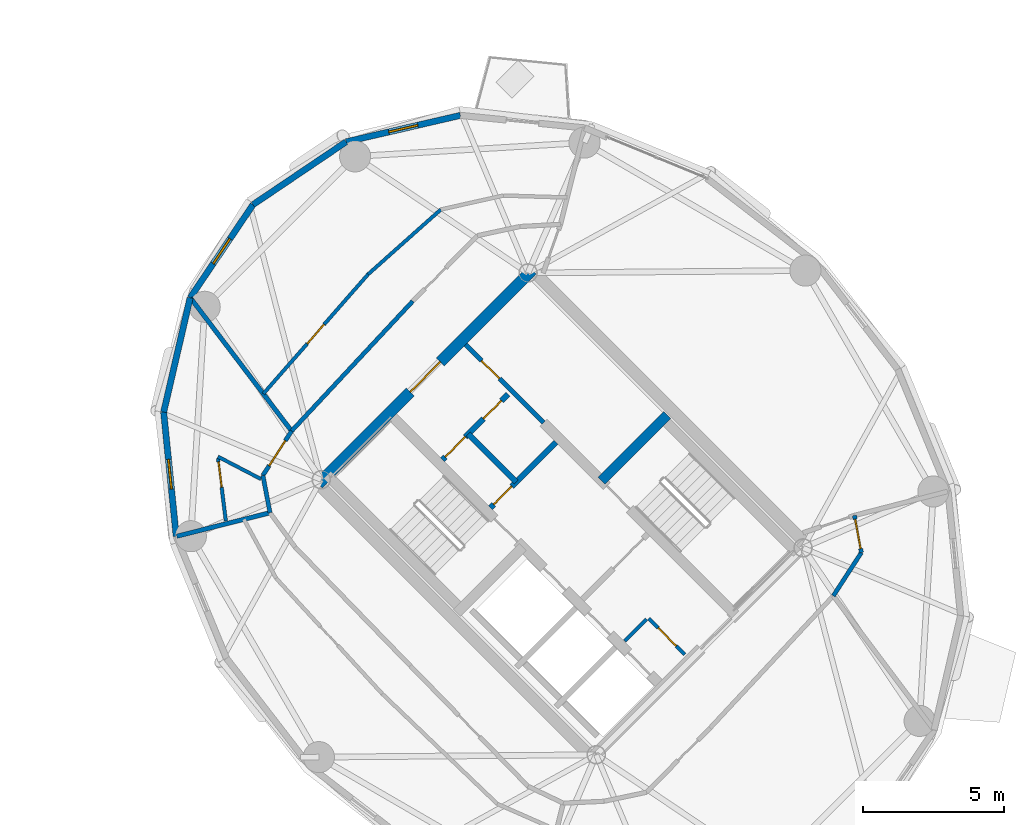
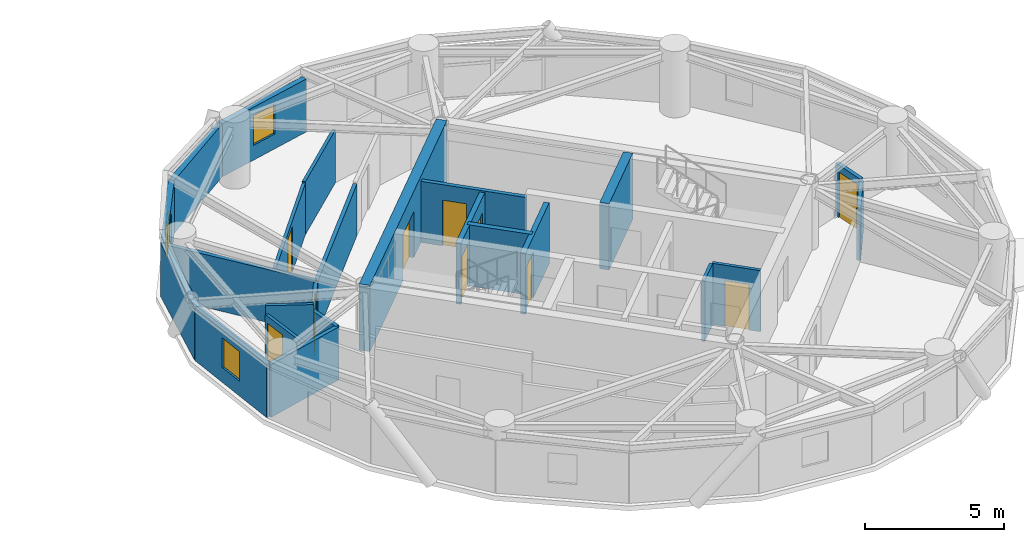
# One storey, part 11 of 16: 24 walls, 10 doors, 3 windows, 13 openings.
"""IFC4 building model written with IfcOpenShell, lengths in metres."""

from ifc_helpers import new_model, si_unit, direction, frame, frame_2d, origin, place, context, subcontext, project, spatial, rectangle, extrude, source, transform, mapped, material, layer, layer_set, type_object, element, fill, save


model = new_model("IFC4")

# Units and contexts
model_context = context("Model", 3, precision=1e-05, world=origin(), true_north=direction((0.0, 1.0)))
body_context = subcontext(model_context, "Body", "Model", "MODEL_VIEW")
ifc_project = project(units=[si_unit("LENGTHUNIT", "METRE"), si_unit("AREAUNIT", "SQUARE_METRE"), si_unit("VOLUMEUNIT", "CUBIC_METRE"), si_unit("PLANEANGLEUNIT", "RADIAN"), si_unit("MASSUNIT", "GRAM", prefix="KILO")], contexts=[model_context])

# Site, building, storey
site_placement = place(None, origin())
site = spatial("IfcSite", under=ifc_project, at=site_placement, CompositionType="ELEMENT")
building_placement = place(site_placement, origin())
building = spatial("IfcBuilding", under=site, at=building_placement, Name="Cununo Teusaquillo Station Towers", CompositionType="ELEMENT")
storey_placement = place(building_placement, frame((0.0, 0.0, 217.030029296875)))
storey = spatial("IfcBuildingStorey", under=building, at=storey_placement, Name="L69", CompositionType="ELEMENT", Elevation=217.030029296875)

# Wall
ifc_material_1 = material(Name="Concrete C50/60", Category="concrete")
ifc_layer_1 = layer(ifc_material_1, 0.35009765625)
ifc_layer_set_1 = layer_set([ifc_layer_1], Name="Concrete C50/60")
wall_type_1 = type_object("IfcWallType", Name="WL-CORE-350", PredefinedType="SHEAR", material=ifc_layer_set_1)
wall_1_placement = place(storey_placement, frame((58.89306640625, 25.673828125, 0.0), z_axis=(0.0, 0.0, 1.0), x_axis=(0.707106781187, 0.707106781187, 0.0)))
element("IfcWall", 1, at=wall_1_placement, inside=storey, type_object=wall_type_1, Name="L69 Tower B Core Shear Wall ST2N", PredefinedType="SHEAR", context=body_context, shape_type="SweptSolid", body=[
    extrude(rectangle(XDim=3.284912109375, YDim=0.35009765625, at=frame_2d((1.642578125, 0.0))), origin(), (0.0, 0.0, 1.0), 2.909912109375),
])

# Wall, opening, door
ifc_material_2 = material(Name="Concrete C50/60", Category="concrete")
ifc_layer_2 = layer(ifc_material_2, 0.39990234375)
ifc_layer_set_2 = layer_set([ifc_layer_2], Name="Concrete C50/60")
wall_type_2 = type_object("IfcWallType", Name="WL-CORE-400", PredefinedType="SHEAR", material=ifc_layer_set_2)
wall_2_placement = place(storey_placement, frame((48.873291015625, 25.560791015625, 0.0), z_axis=(0.0, 0.0, 1.0), x_axis=(0.707106781187, 0.707106781187, 0.0)))
wall_2 = element("IfcWall", 2, at=wall_2_placement, inside=storey, type_object=wall_type_2, Name="L69 Tower B Core Shear Wall N", PredefinedType="SHEAR", context=body_context, shape_type="SweptSolid", body=[
    extrude(rectangle(XDim=10.69970703125, YDim=0.39990234375, at=frame_2d((5.349853515625, 0.0))), origin(), (0.0, 0.0, 1.0), 2.909912109375),
])
shared_shape_1 = source(origin(), body_context, "Body", "SweptSolid", [
    extrude(rectangle(XDim=1.5, YDim=2.02001953125, at=frame_2d((0.75, 1.010009765625))), frame((0.0, 0.2099609375, 0.0), z_axis=(0.0, -1.0, 0.0), x_axis=(1.0, 0.0, 0.0)), (0.0, 0.0, 1.0), 0.419921875),
])
opening_1_placement = place(wall_2_placement, frame((4.60009765625, 0.0, 0.0)))
opening_1 = element("IfcOpeningElement", 3, at=opening_1_placement, cuts=wall_2, Name="Opening D-LB1", PredefinedType="OPENING", context=body_context, shape_type="MappedRepresentation", body=[
    mapped(shared_shape_1, transform((0.0, 0.0, 0.0), x_axis=(1.0, 0.0, 0.0), y_axis=(0.0, 1.0, 0.0), z_axis=(0.0, 0.0, 1.0), scale=1.0)),
])
ifc_material_3 = material(Name="Galvanised fire-rated hollow steel door assembly", Category="steel")
door_type_1 = type_object("IfcDoorType", Name="DR-LOBBY-1500", OperationType="DOUBLE_DOOR_SINGLE_SWING", PredefinedType="DOOR", material=ifc_material_3)
shared_shape_2 = source(origin(), body_context, "Body", "SweptSolid", [
    extrude(rectangle(XDim=1.5, YDim=2.02001953125, at=frame_2d((0.75, 1.010009765625))), frame((0.0, 0.02490234375, 0.0), z_axis=(0.0, -1.0, 0.0), x_axis=(1.0, 0.0, 0.0)), (0.0, 0.0, 1.0), 0.050048828125),
])
door_1_placement = place(opening_1_placement, origin())
door_1 = element("IfcDoor", 4, at=door_1_placement, inside=storey, type_object=door_type_1, Name="L69 Tower B North Core Lift Lobby Door", OperationType="DOUBLE_DOOR_SINGLE_SWING", OverallHeight=2.02001953125, OverallWidth=1.5, PredefinedType="DOOR", context=body_context, shape_type="MappedRepresentation", body=[
    mapped(shared_shape_2, transform((0.0, 0.0, 0.0), x_axis=(1.0, 0.0, 0.0), y_axis=(0.0, 1.0, 0.0), z_axis=(0.0, 0.0, 1.0), scale=1.0)),
])
fill(opening_1, door_1)

# Wall, opening, window
ifc_material_4 = material(Name="Precast concrete C40/50", Category="concrete")
ifc_layer_3 = layer(ifc_material_4, 0.219970703125)
ifc_layer_set_3 = layer_set([ifc_layer_3], Name="Precast concrete C40/50")
wall_type_3 = type_object("IfcWallType", Name="WL-EXT-220", PredefinedType="SOLIDWALL", material=ifc_layer_set_3)
wall_3_placement = place(storey_placement, frame((49.856201171875, 37.663330078125, 0.0), z_axis=(0.0, 0.0, 1.0), x_axis=(0.974249228678, 0.225473813158, 0.0)))
wall_3 = element("IfcWall", 5, at=wall_3_placement, inside=storey, type_object=wall_type_3, Name="L69 Tower B Exterior Facade Wall C03", PredefinedType="SOLIDWALL", context=body_context, shape_type="SweptSolid", body=[
    extrude(rectangle(XDim=4.150390625, YDim=0.219970703125, at=frame_2d((2.0751953125, 0.0))), origin(), (0.0, 0.0, 1.0), 2.322021484375),
])
shared_shape_3 = source(origin(), body_context, "Body", "SweptSolid", [
    extrude(rectangle(XDim=1.050048828125, YDim=1.300048828125, at=frame_2d((0.52490234375, 0.64990234375))), frame((0.0, 0.119873046875, 0.0), z_axis=(0.0, -1.0, 0.0), x_axis=(1.0, 0.0, 0.0)), (0.0, 0.0, 1.0), 0.239990234375),
])
opening_2_placement = place(wall_3_placement, frame((1.550048828125, 0.0, 0.64990234375)))
opening_2 = element("IfcOpeningElement", 6, at=opening_2_placement, cuts=wall_3, Name="Opening WN-04", PredefinedType="OPENING", context=body_context, shape_type="MappedRepresentation", body=[
    mapped(shared_shape_3, transform((0.0, 0.0, 0.0), x_axis=(1.0, 0.0, 0.0), y_axis=(0.0, 1.0, 0.0), z_axis=(0.0, 0.0, 1.0), scale=1.0)),
])
ifc_material_5 = material(Name="Operable acoustic tinted low-E double glazing", Category="glass")
window_type = type_object("IfcWindowType", Name="WIN-BAL-1050", PartitioningType="SINGLE_PANEL", PredefinedType="WINDOW", material=ifc_material_5)
shared_shape_4 = source(origin(), body_context, "Body", "SweptSolid", [
    extrude(rectangle(XDim=1.050048828125, YDim=1.300048828125, at=frame_2d((0.52490234375, 0.64990234375))), frame((0.0, 0.030029296875, 0.0), z_axis=(0.0, -1.0, 0.0), x_axis=(1.0, 0.0, 0.0)), (0.0, 0.0, 1.0), 0.06005859375),
])
window_1_placement = place(opening_2_placement, origin())
window_1 = element("IfcWindow", 7, at=window_1_placement, inside=storey, type_object=window_type, Name="L69 Tower B Facade Window C03", OverallHeight=1.300048828125, OverallWidth=1.050048828125, PartitioningType="SINGLE_PANEL", PredefinedType="WINDOW", context=body_context, shape_type="MappedRepresentation", body=[
    mapped(shared_shape_4, transform((0.0, 0.0, 0.0), x_axis=(1.0, 0.0, 0.0), y_axis=(0.0, 1.0, 0.0), z_axis=(0.0, 0.0, 1.0), scale=1.0)),
])
fill(opening_2, window_1)

# Wall
wall_4_placement = place(storey_placement, frame((46.56103515625, 35.43896484375, 0.0), z_axis=(0.0, 0.0, 1.0), x_axis=(0.828833723692, 0.559495003079, 0.0)))
element("IfcWall", 8, at=wall_4_placement, inside=storey, type_object=wall_type_3, Name="L69 Tower B Exterior Facade Wall C04", PredefinedType="SOLIDWALL", context=body_context, shape_type="SweptSolid", body=[
    extrude(rectangle(XDim=3.9755859375, YDim=0.219970703125, at=frame_2d((1.98779296875, 0.0))), origin(), (0.0, 0.0, 1.0), 2.322021484375),
])

# Wall, opening, window
wall_5_placement = place(storey_placement, frame((44.336669921875, 32.143798828125, 0.0), z_axis=(0.0, 0.0, 1.0), x_axis=(0.559495003079, 0.828833723692, 0.0)))
wall_5 = element("IfcWall", 9, at=wall_5_placement, inside=storey, type_object=wall_type_3, Name="L69 Tower B Exterior Facade Wall C05", PredefinedType="SOLIDWALL", context=body_context, shape_type="SweptSolid", body=[
    extrude(rectangle(XDim=3.9755859375, YDim=0.219970703125, at=frame_2d((1.98779296875, 0.0))), origin(), (0.0, 0.0, 1.0), 2.322021484375),
])
opening_3_placement = place(wall_5_placement, frame((1.462890625, 0.0, 0.64990234375)))
opening_3 = element("IfcOpeningElement", 10, at=opening_3_placement, cuts=wall_5, Name="Opening WN-04", PredefinedType="OPENING", context=body_context, shape_type="MappedRepresentation", body=[
    mapped(shared_shape_3, transform((0.0, 0.0, 0.0), x_axis=(1.0, 0.0, 0.0), y_axis=(0.0, 1.0, 0.0), z_axis=(0.0, 0.0, 1.0), scale=1.0)),
])
window_2_placement = place(opening_3_placement, origin())
window_2 = element("IfcWindow", 11, at=window_2_placement, inside=storey, type_object=window_type, Name="L69 Tower B Facade Window C05", OverallHeight=1.300048828125, OverallWidth=1.050048828125, PartitioningType="SINGLE_PANEL", PredefinedType="WINDOW", context=body_context, shape_type="MappedRepresentation", body=[
    mapped(shared_shape_4, transform((0.0, 0.0, 0.0), x_axis=(1.0, 0.0, 0.0), y_axis=(0.0, 1.0, 0.0), z_axis=(0.0, 0.0, 1.0), scale=1.0)),
])
fill(opening_3, window_2)

# Wall
wall_6_placement = place(storey_placement, frame((43.40087890625, 28.100341796875, 0.0), z_axis=(0.0, 0.0, 1.0), x_axis=(0.225473813158, 0.974249228678, 0.0)))
element("IfcWall", 12, at=wall_6_placement, inside=storey, type_object=wall_type_3, Name="L69 Tower B Exterior Facade Wall C06", PredefinedType="SOLIDWALL", context=body_context, shape_type="SweptSolid", body=[
    extrude(rectangle(XDim=4.150390625, YDim=0.219970703125, at=frame_2d((2.0751953125, 0.0))), origin(), (0.0, 0.0, 1.0), 2.322021484375),
])

# Wall, opening, window
wall_7_placement = place(storey_placement, frame((43.84521484375, 23.70458984375, 0.0), z_axis=(0.0, 0.0, 1.0), x_axis=(-0.100570534541, 0.994929930991, 0.0)))
wall_7 = element("IfcWall", 13, at=wall_7_placement, inside=storey, type_object=wall_type_3, Name="L69 Tower B Exterior Facade Wall C07", PredefinedType="SOLIDWALL", context=body_context, shape_type="SweptSolid", body=[
    extrude(rectangle(XDim=4.418212890625, YDim=0.219970703125, at=frame_2d((2.208984375, 0.0))), origin(), (0.0, 0.0, 1.0), 2.322021484375),
])
opening_4_placement = place(wall_7_placement, frame((1.68408203125, 0.0, 0.64990234375)))
opening_4 = element("IfcOpeningElement", 14, at=opening_4_placement, cuts=wall_7, Name="Opening WN-04", PredefinedType="OPENING", context=body_context, shape_type="MappedRepresentation", body=[
    mapped(shared_shape_3, transform((0.0, 0.0, 0.0), x_axis=(1.0, 0.0, 0.0), y_axis=(0.0, 1.0, 0.0), z_axis=(0.0, 0.0, 1.0), scale=1.0)),
])
window_3_placement = place(opening_4_placement, origin())
window_3 = element("IfcWindow", 15, at=window_3_placement, inside=storey, type_object=window_type, Name="L69 Tower B Facade Window C07", OverallHeight=1.300048828125, OverallWidth=1.050048828125, PartitioningType="SINGLE_PANEL", PredefinedType="WINDOW", context=body_context, shape_type="MappedRepresentation", body=[
    mapped(shared_shape_4, transform((0.0, 0.0, 0.0), x_axis=(1.0, 0.0, 0.0), y_axis=(0.0, 1.0, 0.0), z_axis=(0.0, 0.0, 1.0), scale=1.0)),
])
fill(opening_4, window_3)

# Wall, opening, door
ifc_material_6 = material(Name="Fire-rated gypsum plasterboard partition assembly", Category="gypsum")
ifc_layer_4 = layer(ifc_material_6, 0.125)
ifc_layer_set_4 = layer_set([ifc_layer_4], Name="Fire-rated gypsum plasterboard partition assembly")
wall_type_4 = type_object("IfcWallType", Name="WL-PART-125", PredefinedType="PARTITIONING", material=ifc_layer_set_4)
wall_8_placement = place(storey_placement, frame((61.834716796875, 19.529052734375, 0.0), z_axis=(0.0, 0.0, 1.0), x_axis=(-0.707174592913, 0.707038962956, 0.0)))
wall_8 = element("IfcWall", 16, at=wall_8_placement, inside=storey, type_object=wall_type_4, Name="L69 Tower B South-West Compact Store East Wall", PredefinedType="PARTITIONING", context=body_context, shape_type="SweptSolid", body=[
    extrude(rectangle(XDim=1.800048828125, YDim=0.125, at=frame_2d((0.89990234375, 0.0))), origin(), (0.0, 0.0, 1.0), 2.68505859375),
])
shared_shape_5 = source(origin(), body_context, "Body", "SweptSolid", [
    extrude(rectangle(XDim=0.89990234375, YDim=2.0048828125, at=frame_2d((0.449951171875, 1.00244140625))), frame((0.0, 0.072509765625, 0.0), z_axis=(0.0, -1.0, 0.0), x_axis=(1.0, 0.0, 0.0)), (0.0, 0.0, 1.0), 0.14501953125),
])
opening_5_placement = place(wall_8_placement, frame((0.419921875, 0.0, 0.0)))
opening_5 = element("IfcOpeningElement", 17, at=opening_5_placement, cuts=wall_8, Name="Opening D-SR1", PredefinedType="OPENING", context=body_context, shape_type="MappedRepresentation", body=[
    mapped(shared_shape_5, transform((0.0, 0.0, 0.0), x_axis=(1.0, 0.0, 0.0), y_axis=(0.0, 1.0, 0.0), z_axis=(0.0, 0.0, 1.0), scale=1.0)),
])
ifc_material_7 = material(Name="Galvanised fire-rated hollow steel door assembly", Category="steel")
door_type_2 = type_object("IfcDoorType", Name="DR-STORE-900", OperationType="NOTDEFINED", PredefinedType="DOOR", material=ifc_material_7)
shared_shape_6 = source(origin(), body_context, "Body", "SweptSolid", [
    extrude(rectangle(XDim=0.89990234375, YDim=2.0048828125, at=frame_2d((0.449951171875, 1.00244140625))), frame((0.0, 0.02490234375, 0.0), z_axis=(0.0, -1.0, 0.0), x_axis=(1.0, 0.0, 0.0)), (0.0, 0.0, 1.0), 0.050048828125),
])
door_2_placement = place(opening_5_placement, origin())
door_2 = element("IfcDoor", 18, at=door_2_placement, inside=storey, type_object=door_type_2, Name="L69 Tower B Core Electrical & Comms Store Door", OperationType="SINGLE_SWING_LEFT", OverallHeight=2.0048828125, OverallWidth=0.89990234375, PredefinedType="DOOR", context=body_context, shape_type="MappedRepresentation", body=[
    mapped(shared_shape_6, transform((0.0, 0.0, 0.0), x_axis=(1.0, 0.0, 0.0), y_axis=(0.0, 1.0, 0.0), z_axis=(0.0, 0.0, 1.0), scale=1.0)),
])
fill(opening_5, door_2)

# Walls
wall_9_placement = place(storey_placement, frame((59.713134765625, 19.99560546875, 0.0), z_axis=(0.0, 0.0, 1.0), x_axis=(0.707217726, 0.706995818963, 0.0)))
element("IfcWall", 19, at=wall_9_placement, inside=storey, type_object=wall_type_4, Name="L69 Tower B South-West Compact Store North Wall", PredefinedType="PARTITIONING", context=body_context, shape_type="SweptSolid", body=[
    extrude(rectangle(XDim=1.10009765625, YDim=0.125, at=frame_2d((0.550048828125, 0.0))), origin(), (0.0, 0.0, 1.0), 2.68505859375),
])
wall_10_placement = place(storey_placement, frame((53.206298828125, 35.268310546875, 0.0), z_axis=(0.0, 0.0, 1.0), x_axis=(-0.746677760999, -0.665185929819, 0.0)))
element("IfcWall", 20, at=wall_10_placement, inside=storey, type_object=wall_type_4, Name="L69 Tower B Summit Champagne & Dining Salon Concentric Partition Wall C04", PredefinedType="PARTITIONING", context=body_context, shape_type="SweptSolid", body=[
    extrude(rectangle(XDim=3.4453125, YDim=0.125, at=frame_2d((1.72265625, 0.0))), origin(), (0.0, 0.0, 1.0), 2.322021484375),
])

# Wall, opening, door
wall_11_placement = place(storey_placement, frame((50.6337890625, 32.9765625, 0.0), z_axis=(0.0, 0.0, 1.0), x_axis=(-0.659241945747, -0.751930885765, 0.0)))
wall_11 = element("IfcWall", 21, at=wall_11_placement, inside=storey, type_object=wall_type_4, Name="L69 Tower B Summit Champagne & Dining Salon Concentric Partition Wall C05", PredefinedType="PARTITIONING", context=body_context, shape_type="SweptSolid", body=[
    extrude(rectangle(XDim=5.62353515625, YDim=0.125, at=frame_2d((2.811767578125, 0.0))), origin(), (0.0, 0.0, 1.0), 2.2548828125),
])
opening_6_placement = place(wall_11_placement, frame((2.36181640625, 0.0, 0.0)))
opening_6 = element("IfcOpeningElement", 22, at=opening_6_placement, cuts=wall_11, Name="Opening D-IN1", PredefinedType="OPENING", context=body_context, shape_type="MappedRepresentation", body=[
    mapped(shared_shape_5, transform((0.0, 0.0, 0.0), x_axis=(1.0, 0.0, 0.0), y_axis=(0.0, 1.0, 0.0), z_axis=(0.0, 0.0, 1.0), scale=1.0)),
])
ifc_material_8 = material(Name="Acoustic solid-core hardwood leaf assembly", Category="wood")
door_type_3 = type_object("IfcDoorType", Name="DR-INT-900", OperationType="NOTDEFINED", PredefinedType="DOOR", material=ifc_material_8)
door_3_placement = place(opening_6_placement, origin())
door_3 = element("IfcDoor", 23, at=door_3_placement, inside=storey, type_object=door_type_3, Name="L69 Tower B Summit Champagne & Dining Salon Connecting Door", OperationType="SINGLE_SWING_LEFT", OverallHeight=2.0048828125, OverallWidth=0.89990234375, PredefinedType="DOOR", context=body_context, shape_type="MappedRepresentation", body=[
    mapped(shared_shape_6, transform((0.0, 0.0, 0.0), x_axis=(1.0, 0.0, 0.0), y_axis=(0.0, 1.0, 0.0), z_axis=(0.0, 0.0, 1.0), scale=1.0)),
])
fill(opening_6, door_3)

# Wall
wall_12_placement = place(storey_placement, frame((46.843505859375, 25.7314453125, 0.0), z_axis=(0.0, 0.0, 1.0), x_axis=(-0.886802533251, 0.462148533504, 0.0)))
element("IfcWall", 24, at=wall_12_placement, inside=storey, type_object=wall_type_4, Name="L69 Tower B S02 En-suite Side Wall", PredefinedType="PARTITIONING", context=body_context, shape_type="SweptSolid", body=[
    extrude(rectangle(XDim=1.718994140625, YDim=0.125, at=frame_2d((0.859375, 0.0))), origin(), (0.0, 0.0, 1.0), 2.68505859375),
])

# Wall, opening, door
wall_13_placement = place(storey_placement, frame((45.32763671875, 26.456787109375, 0.0), z_axis=(0.0, 0.0, 1.0), x_axis=(0.122605181354, -0.992455525203, 0.0)))
wall_13 = element("IfcWall", 25, at=wall_13_placement, inside=storey, type_object=wall_type_4, Name="L69 Tower B S02 En-suite Back Wall", PredefinedType="PARTITIONING", context=body_context, shape_type="SweptSolid", body=[
    extrude(rectangle(XDim=2.228271484375, YDim=0.125, at=frame_2d((1.1142578125, 0.0))), origin(), (0.0, 0.0, 1.0), 2.322021484375),
])
opening_7_placement = place(wall_13_placement, frame((0.1201171875, 0.0, 0.0)))
opening_7 = element("IfcOpeningElement", 26, at=opening_7_placement, cuts=wall_13, Name="Opening D-IN1", PredefinedType="OPENING", context=body_context, shape_type="MappedRepresentation", body=[
    mapped(shared_shape_5, transform((0.0, 0.0, 0.0), x_axis=(1.0, 0.0, 0.0), y_axis=(0.0, 1.0, 0.0), z_axis=(0.0, 0.0, 1.0), scale=1.0)),
])
door_4_placement = place(opening_7_placement, origin())
door_4 = element("IfcDoor", 27, at=door_4_placement, inside=storey, type_object=door_type_3, Name="L69 Tower B S02 En-suite Bathroom Door", OperationType="SINGLE_SWING_LEFT", OverallHeight=2.0048828125, OverallWidth=0.89990234375, PredefinedType="DOOR", context=body_context, shape_type="MappedRepresentation", body=[
    mapped(shared_shape_6, transform((0.0, 0.0, 0.0), x_axis=(1.0, 0.0, 0.0), y_axis=(0.0, 1.0, 0.0), z_axis=(0.0, 0.0, 1.0), scale=1.0)),
])
fill(opening_7, door_4)

# Wall
ifc_material_9 = material(Name="Fire-rated gypsum plasterboard partition assembly", Category="gypsum")
ifc_layer_5 = layer(ifc_material_9, 0.14990234375)
ifc_layer_set_5 = layer_set([ifc_layer_5], Name="Fire-rated gypsum plasterboard partition assembly")
wall_type_5 = type_object("IfcWallType", Name="WL-PART-150", PredefinedType="PARTITIONING", material=ifc_layer_set_5)
wall_14_placement = place(storey_placement, frame((52.21240234375, 32.0244140625, 0.0), z_axis=(0.0, 0.0, 1.0), x_axis=(-0.682158998173, -0.731203871169, 0.0)))
element("IfcWall", 28, at=wall_14_placement, inside=storey, type_object=wall_type_5, Name="L69 Tower B Corridor Ring Wall C05", PredefinedType="PARTITIONING", context=body_context, shape_type="SweptSolid", body=[
    extrude(rectangle(XDim=6.2822265625, YDim=0.14990234375, at=frame_2d((3.14111328125, 0.0))), origin(), (0.0, 0.0, 1.0), 2.2548828125),
])

# Wall, opening, door
wall_15_placement = place(storey_placement, frame((47.927001953125, 27.430908203125, 0.0), z_axis=(0.0, 0.0, 1.0), x_axis=(-0.543126643356, -0.839650790077, 0.0)))
wall_15 = element("IfcWall", 29, at=wall_15_placement, inside=storey, type_object=wall_type_5, Name="L69 Tower B Corridor Ring Wall C06", PredefinedType="PARTITIONING", context=body_context, shape_type="SweptSolid", body=[
    extrude(rectangle(XDim=1.8681640625, YDim=0.14990234375, at=frame_2d((0.93408203125, 0.0))), origin(), (0.0, 0.0, 1.0), 2.2548828125),
])
shared_shape_7 = source(origin(), body_context, "Body", "SweptSolid", [
    extrude(rectangle(XDim=1.050048828125, YDim=2.014892578125, at=frame_2d((0.52490234375, 1.00732421875))), frame((0.0, 0.0849609375, 0.0), z_axis=(0.0, -1.0, 0.0), x_axis=(1.0, 0.0, 0.0)), (0.0, 0.0, 1.0), 0.169921875),
])
opening_8_placement = place(wall_15_placement, frame((0.4091796875, 0.0, 0.0)))
opening_8 = element("IfcOpeningElement", 30, at=opening_8_placement, cuts=wall_15, Name="Opening D-SU1", PredefinedType="OPENING", context=body_context, shape_type="MappedRepresentation", body=[
    mapped(shared_shape_7, transform((0.0, 0.0, 0.0), x_axis=(1.0, 0.0, 0.0), y_axis=(0.0, 1.0, 0.0), z_axis=(0.0, 0.0, 1.0), scale=1.0)),
])
ifc_material_10 = material(Name="Acoustic solid-core hardwood leaf assembly", Category="wood")
door_type_4 = type_object("IfcDoorType", Name="DR-SUITE-1050", OperationType="NOTDEFINED", PredefinedType="DOOR", material=ifc_material_10)
shared_shape_8 = source(origin(), body_context, "Body", "SweptSolid", [
    extrude(rectangle(XDim=1.050048828125, YDim=2.014892578125, at=frame_2d((0.52490234375, 1.00732421875))), frame((0.0, 0.02490234375, 0.0), z_axis=(0.0, -1.0, 0.0), x_axis=(1.0, 0.0, 0.0)), (0.0, 0.0, 1.0), 0.050048828125),
])
door_5_placement = place(opening_8_placement, origin())
door_5 = element("IfcDoor", 31, at=door_5_placement, inside=storey, type_object=door_type_4, Name="L69 Tower B Crown Horizon Hotel Suite Entrance Door", OperationType="SINGLE_SWING_RIGHT", OverallHeight=2.014892578125, OverallWidth=1.050048828125, PredefinedType="DOOR", context=body_context, shape_type="MappedRepresentation", body=[
    mapped(shared_shape_8, transform((0.0, 0.0, 0.0), x_axis=(1.0, 0.0, 0.0), y_axis=(0.0, 1.0, 0.0), z_axis=(0.0, 0.0, 1.0), scale=1.0)),
])
fill(opening_8, door_5)

# Walls
wall_16_placement = place(storey_placement, frame((46.912353515625, 25.8623046875, 0.0), z_axis=(0.0, 0.0, 1.0), x_axis=(0.186095172215, -0.98253172309, 0.0)))
element("IfcWall", 32, at=wall_16_placement, inside=storey, type_object=wall_type_5, Name="L69 Tower B Corridor Ring Wall C07", PredefinedType="PARTITIONING", context=body_context, shape_type="SweptSolid", body=[
    extrude(rectangle(XDim=1.345947265625, YDim=0.14990234375, at=frame_2d((0.6728515625, 0.0))), origin(), (0.0, 0.0, 1.0), 2.322021484375),
])
wall_17_placement = place(storey_placement, frame((67.09521484375, 21.599609375, 0.0), z_axis=(0.0, 0.0, 1.0), x_axis=(0.543773190184, 0.839232219137, 0.0)))
element("IfcWall", 33, at=wall_17_placement, inside=storey, type_object=wall_type_5, Name="L69 Tower B Corridor Ring Wall C16", PredefinedType="PARTITIONING", context=body_context, shape_type="SweptSolid", body=[
    extrude(rectangle(XDim=1.82275390625, YDim=0.14990234375, at=frame_2d((0.911376953125, 0.0))), origin(), (0.0, 0.0, 1.0), 2.2548828125),
])

# Wall, opening, door
wall_18_placement = place(storey_placement, frame((68.08642578125, 23.12939453125, 0.0), z_axis=(0.0, 0.0, 1.0), x_axis=(-0.182004193146, 0.983297754334, 0.0)))
wall_18 = element("IfcWall", 34, at=wall_18_placement, inside=storey, type_object=wall_type_5, Name="L69 Tower B Corridor Ring Wall C17", PredefinedType="PARTITIONING", context=body_context, shape_type="SweptSolid", body=[
    extrude(rectangle(XDim=1.3359375, YDim=0.14990234375, at=frame_2d((0.66796875, 0.0))), origin(), (0.0, 0.0, 1.0), 2.322021484375),
])
opening_9_placement = place(wall_18_placement, frame((0.14306640625, 0.0, 0.0)))
opening_9 = element("IfcOpeningElement", 35, at=opening_9_placement, cuts=wall_18, Name="Opening D-SU1", PredefinedType="OPENING", context=body_context, shape_type="MappedRepresentation", body=[
    mapped(shared_shape_7, transform((0.0, 0.0, 0.0), x_axis=(1.0, 0.0, 0.0), y_axis=(0.0, 1.0, 0.0), z_axis=(0.0, 0.0, 1.0), scale=1.0)),
])
door_6_placement = place(opening_9_placement, origin())
door_6 = element("IfcDoor", 36, at=door_6_placement, inside=storey, type_object=door_type_4, Name="L69 Tower B Hotel Housekeeping & Linen Pantry Entrance Door", OperationType="SINGLE_SWING_LEFT", OverallHeight=2.014892578125, OverallWidth=1.050048828125, PredefinedType="DOOR", context=body_context, shape_type="MappedRepresentation", body=[
    mapped(shared_shape_8, transform((0.0, 0.0, 0.0), x_axis=(1.0, 0.0, 0.0), y_axis=(0.0, 1.0, 0.0), z_axis=(0.0, 0.0, 1.0), scale=1.0)),
])
fill(opening_9, door_6)

ifc_material_11 = material(Name="Fire-rated gypsum plasterboard partition assembly", Category="gypsum")
ifc_layer_6 = layer(ifc_material_11, 0.159912109375)
ifc_layer_set_6 = layer_set([ifc_layer_6], Name="Fire-rated gypsum plasterboard partition assembly")
wall_type_6 = type_object("IfcWallType", Name="WL-PART-160", PredefinedType="PARTITIONING", material=ifc_layer_set_6)
wall_19_placement = place(storey_placement, frame((56.8388671875, 27.727783203125, 0.0), z_axis=(0.0, 0.0, 1.0), x_axis=(-0.707106781187, 0.707106781187, 0.0)))
wall_19 = element("IfcWall", 37, at=wall_19_placement, inside=storey, type_object=wall_type_6, Name="L69 Tower B Reclaimed Core Bay Entry Wall", PredefinedType="PARTITIONING", context=body_context, shape_type="SweptSolid", body=[
    extrude(rectangle(XDim=3.900146484375, YDim=0.159912109375, at=frame_2d((1.9501953125, 0.0))), origin(), (0.0, 0.0, 1.0), 2.68505859375),
])
shared_shape_9 = source(origin(), body_context, "Body", "SweptSolid", [
    extrude(rectangle(XDim=0.89990234375, YDim=2.0048828125, at=frame_2d((0.449951171875, 1.00244140625))), frame((0.0, 0.08984375, 0.0), z_axis=(0.0, -1.0, 0.0), x_axis=(1.0, 0.0, 0.0)), (0.0, 0.0, 1.0), 0.179931640625),
])
opening_10_placement = place(wall_19_placement, frame((2.199951171875, 0.0, 0.0)))
opening_10 = element("IfcOpeningElement", 38, at=opening_10_placement, cuts=wall_19, Name="Opening D-IN1", PredefinedType="OPENING", context=body_context, shape_type="MappedRepresentation", body=[
    mapped(shared_shape_9, transform((0.0, 0.0, 0.0), x_axis=(1.0, 0.0, 0.0), y_axis=(0.0, 1.0, 0.0), z_axis=(0.0, 0.0, 1.0), scale=1.0)),
])
door_7_placement = place(opening_10_placement, origin())
door_7 = element("IfcDoor", 39, at=door_7_placement, inside=storey, type_object=door_type_3, Name="L69 Tower B Reclaimed Core Lounge Door", OperationType="SINGLE_SWING_LEFT", OverallHeight=2.0048828125, OverallWidth=0.89990234375, PredefinedType="DOOR", context=body_context, shape_type="MappedRepresentation", body=[
    mapped(shared_shape_6, transform((0.0, 0.0, 0.0), x_axis=(1.0, 0.0, 0.0), y_axis=(0.0, 1.0, 0.0), z_axis=(0.0, 0.0, 1.0), scale=1.0)),
])
fill(opening_10, door_7)

# Walls
wall_20_placement = place(storey_placement, frame((47.927001953125, 27.430908203125, 0.0), z_axis=(0.0, 0.0, 1.0), x_axis=(-0.604823333103, 0.796359677366, 0.0)))
element("IfcWall", 40, at=wall_20_placement, inside=storey, type_object=wall_type_6, Name="L69 Tower B Radial Suite Partition R02", PredefinedType="PARTITIONING", context=body_context, shape_type="SweptSolid", body=[
    extrude(rectangle(XDim=5.90673828125, YDim=0.159912109375, at=frame_2d((2.953369140625, 0.0))), origin(), (0.0, 0.0, 1.0), 2.322021484375),
])
wall_21_placement = place(storey_placement, frame((47.162841796875, 24.539794921875, 0.0), z_axis=(0.0, 0.0, 1.0), x_axis=(-0.9696166611, -0.244629373781, 0.0)))
element("IfcWall", 41, at=wall_21_placement, inside=storey, type_object=wall_type_6, Name="L69 Tower B Radial Suite Partition R03", PredefinedType="PARTITIONING", context=body_context, shape_type="SweptSolid", body=[
    extrude(rectangle(XDim=3.401123046875, YDim=0.159912109375, at=frame_2d((1.70068359375, 0.0))), origin(), (0.0, 0.0, 1.0), 2.322021484375),
])

# Wall, opening, door
ifc_material_12 = material(Name="Fire-rated gypsum plasterboard partition assembly", Category="gypsum")
ifc_layer_7 = layer(ifc_material_12, 0.199951171875)
ifc_layer_set_7 = layer_set([ifc_layer_7], Name="Fire-rated gypsum plasterboard partition assembly")
wall_type_7 = type_object("IfcWallType", Name="WL-PART-200", PredefinedType="PARTITIONING", material=ifc_layer_set_7)
wall_22_placement = place(storey_placement, frame((54.96142578125, 24.71923828125, 0.0), z_axis=(0.0, 0.0, 1.0), x_axis=(0.707106781187, 0.707106781187, 0.0)))
wall_22 = element("IfcWall", 42, at=wall_22_placement, inside=storey, type_object=wall_type_7, Name="L69 Tower B Firefighting Lift Lobby North Fire Wall", PredefinedType="PARTITIONING", context=body_context, shape_type="SweptSolid", body=[
    extrude(rectangle(XDim=3.280029296875, YDim=0.199951171875, at=frame_2d((1.64013671875, 0.0))), origin(), (0.0, 0.0, 1.0), 2.68505859375),
])
shared_shape_10 = source(origin(), body_context, "Body", "SweptSolid", [
    extrude(rectangle(XDim=0.89990234375, YDim=2.0048828125, at=frame_2d((0.449951171875, 1.00244140625))), frame((0.0, 0.10986328125, 0.0), z_axis=(0.0, -1.0, 0.0), x_axis=(1.0, 0.0, 0.0)), (0.0, 0.0, 1.0), 0.219970703125),
])
opening_11_placement = place(wall_22_placement, frame((0.159912109375, 0.0, 0.0)))
opening_11 = element("IfcOpeningElement", 43, at=opening_11_placement, cuts=wall_22, Name="Opening D-SR1", PredefinedType="OPENING", context=body_context, shape_type="MappedRepresentation", body=[
    mapped(shared_shape_10, transform((0.0, 0.0, 0.0), x_axis=(1.0, 0.0, 0.0), y_axis=(0.0, 1.0, 0.0), z_axis=(0.0, 0.0, 1.0), scale=1.0)),
])
door_8_placement = place(opening_11_placement, origin())
door_8 = element("IfcDoor", 44, at=door_8_placement, inside=storey, type_object=door_type_2, Name="L69 Tower B Stair 1 Protected Vestibule South Door", OperationType="SINGLE_SWING_LEFT", OverallHeight=2.0048828125, OverallWidth=0.89990234375, PredefinedType="DOOR", context=body_context, shape_type="MappedRepresentation", body=[
    mapped(shared_shape_6, transform((0.0, 0.0, 0.0), x_axis=(1.0, 0.0, 0.0), y_axis=(0.0, 1.0, 0.0), z_axis=(0.0, 0.0, 1.0), scale=1.0)),
])
fill(opening_11, door_8)

# Wall
wall_23_placement = place(storey_placement, frame((55.873779296875, 25.63134765625, 0.0), z_axis=(0.0, 0.0, 1.0), x_axis=(-0.707157639372, 0.707055919343, 0.0)))
element("IfcWall", 45, at=wall_23_placement, inside=storey, type_object=wall_type_7, Name="L69 Tower B Stair 1 Vestibule Partition Wall", PredefinedType="PARTITIONING", context=body_context, shape_type="SweptSolid", body=[
    extrude(rectangle(XDim=2.400146484375, YDim=0.199951171875, at=frame_2d((1.2001953125, 0.0))), origin(), (0.0, 0.0, 1.0), 2.68505859375),
])

# Wall, openings, doors
wall_24_placement = place(storey_placement, frame((53.264404296875, 26.416259765625, 0.0), z_axis=(0.0, 0.0, 1.0), x_axis=(0.707106781187, 0.707106781187, 0.0)))
wall_24 = element("IfcWall", 46, at=wall_24_placement, inside=storey, type_object=wall_type_7, Name="L69 Tower B North Lift Lobby South Fire Wall", PredefinedType="PARTITIONING", context=body_context, shape_type="SweptSolid", body=[
    extrude(rectangle(XDim=3.280029296875, YDim=0.199951171875, at=frame_2d((1.64013671875, 0.0))), origin(), (0.0, 0.0, 1.0), 2.68505859375),
])
shared_shape_11 = source(origin(), body_context, "Body", "SweptSolid", [
    extrude(rectangle(XDim=1.0, YDim=2.014892578125, at=frame_2d((0.5, 1.00732421875))), frame((0.0, 0.10986328125, 0.0), z_axis=(0.0, -1.0, 0.0), x_axis=(1.0, 0.0, 0.0)), (0.0, 0.0, 1.0), 0.219970703125),
])
opening_12_placement = place(wall_24_placement, frame((0.139892578125, 0.0, 0.0)))
opening_12 = element("IfcOpeningElement", 47, at=opening_12_placement, cuts=wall_24, Name="Opening D-AC1", PredefinedType="OPENING", context=body_context, shape_type="MappedRepresentation", body=[
    mapped(shared_shape_11, transform((0.0, 0.0, 0.0), x_axis=(1.0, 0.0, 0.0), y_axis=(0.0, 1.0, 0.0), z_axis=(0.0, 0.0, 1.0), scale=1.0)),
])
opening_13_placement = place(wall_24_placement, frame((2.050048828125, 0.0, 0.0)))
opening_13 = element("IfcOpeningElement", 48, at=opening_13_placement, cuts=wall_24, Name="Opening D-SR1", PredefinedType="OPENING", context=body_context, shape_type="MappedRepresentation", body=[
    mapped(shared_shape_10, transform((0.0, 0.0, 0.0), x_axis=(1.0, 0.0, 0.0), y_axis=(0.0, 1.0, 0.0), z_axis=(0.0, 0.0, 1.0), scale=1.0)),
])
door_9_placement = place(opening_13_placement, origin())
door_9 = element("IfcDoor", 49, at=door_9_placement, inside=storey, type_object=door_type_2, Name="L69 Tower B Core Housekeeping & Linen Store Door", OperationType="SINGLE_SWING_RIGHT", OverallHeight=2.0048828125, OverallWidth=0.89990234375, PredefinedType="DOOR", context=body_context, shape_type="MappedRepresentation", body=[
    mapped(shared_shape_6, transform((0.0, 0.0, 0.0), x_axis=(1.0, 0.0, 0.0), y_axis=(0.0, 1.0, 0.0), z_axis=(0.0, 0.0, 1.0), scale=1.0)),
])
fill(opening_13, door_9)
ifc_material_13 = material(Name="Acoustic solid-core hardwood leaf assembly", Category="wood")
door_type_5 = type_object("IfcDoorType", Name="DR-ACC-1000", OperationType="NOTDEFINED", PredefinedType="DOOR", material=ifc_material_13)
shared_shape_12 = source(origin(), body_context, "Body", "SweptSolid", [
    extrude(rectangle(XDim=1.0, YDim=2.014892578125, at=frame_2d((0.5, 1.00732421875))), frame((0.0, 0.02490234375, 0.0), z_axis=(0.0, -1.0, 0.0), x_axis=(1.0, 0.0, 0.0)), (0.0, 0.0, 1.0), 0.050048828125),
])
door_10_placement = place(opening_12_placement, origin())
door_10 = element("IfcDoor", 50, at=door_10_placement, inside=storey, type_object=door_type_5, Name="L69 Tower B North Lift Lobby to Stair 1 Vestibule Door", OperationType="SINGLE_SWING_RIGHT", OverallHeight=2.014892578125, OverallWidth=1.0, PredefinedType="DOOR", context=body_context, shape_type="MappedRepresentation", body=[
    mapped(shared_shape_12, transform((0.0, 0.0, 0.0), x_axis=(1.0, 0.0, 0.0), y_axis=(0.0, 1.0, 0.0), z_axis=(0.0, 0.0, 1.0), scale=1.0)),
])
fill(opening_12, door_10)

save(model, "model.ifc")
